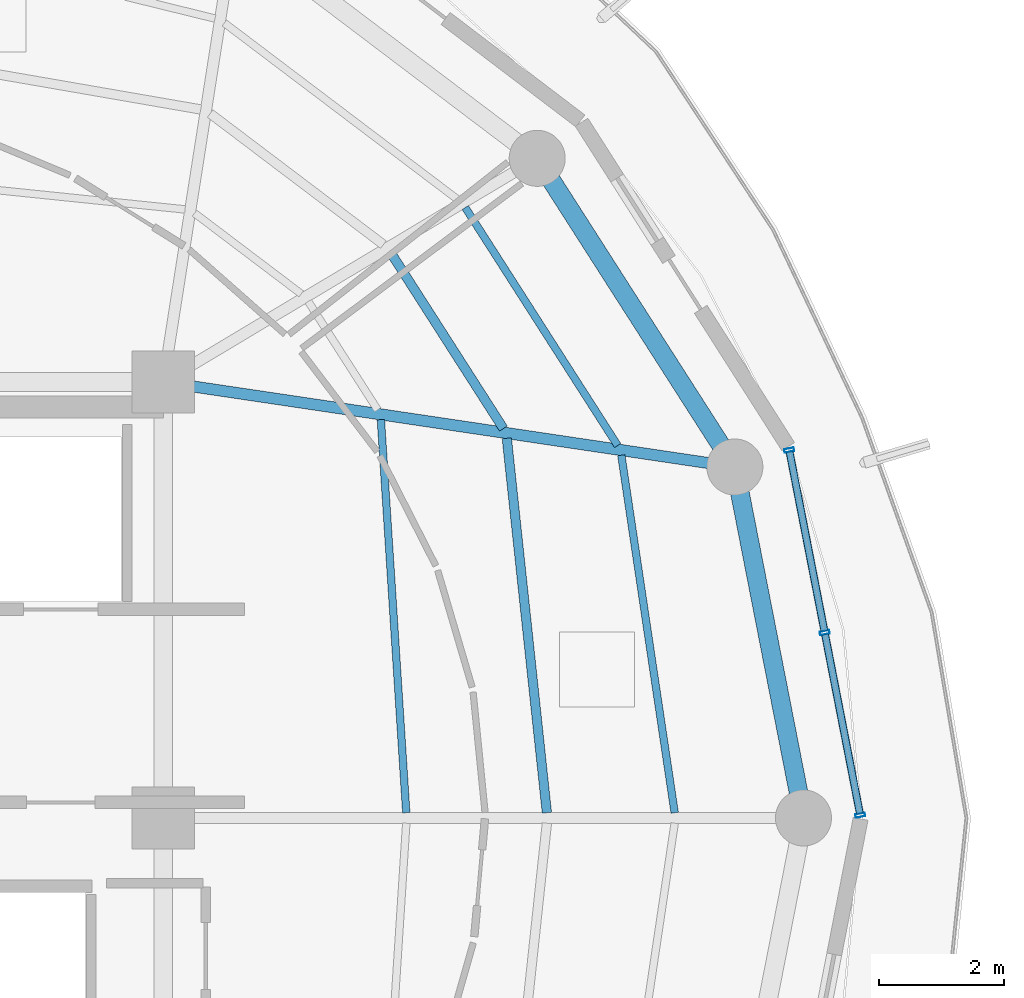
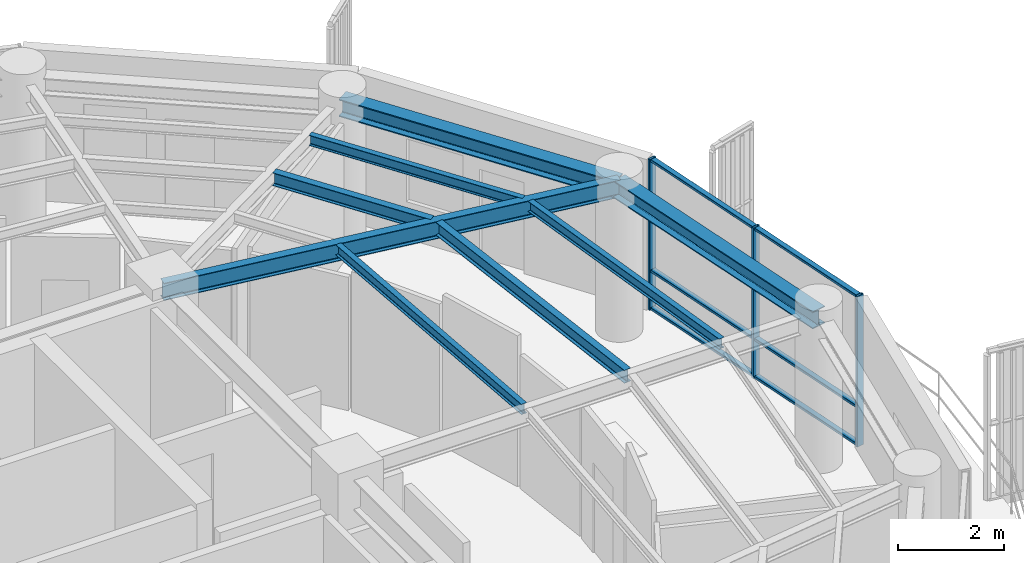
# One storey, part 11 of 23: 9 members, 8 beams, 1 element without a shape of its own.
"""IFC4 building model written with IfcOpenShell, lengths in metres."""

import ifcopenshell
import ifcopenshell.guid

model = None  # the IFC model being written
_history = None  # IfcOwnerHistory: only IFC2X3 demands one
_inside = {}  # id of a spatial element -> (the spatial element, [elements in it])
_under = {}  # id of a project, library or spatial element -> (it, [spatial elements below it])
_declared = {}  # id of a project -> (the project, [libraries it declares])
_typed = {}  # id of a type object -> (the type object, [elements of that type])
_made_of = {}  # id of a material, layer set ... -> (it, [elements and type objects made of it])


def new_model(schema):
    """Start an empty IFC model of exactly this schema.

    Asked for "IFC4X3", IfcOpenShell would pick the latest addendum, in which some entities
    have other attributes; the version numbers below select the first issue.
    IFC2X3 requires an IfcOwnerHistory on every rooted entity: one is made here for all.
    """
    global model, _history
    if schema == "IFC4X3":
        model = ifcopenshell.file(schema_version=(4, 3, 0, 0))
    else:
        model = ifcopenshell.file(schema=schema)
    _inside.clear()
    _under.clear()
    _declared.clear()
    _typed.clear()
    _made_of.clear()
    _history = None
    if model.schema == "IFC2X3":
        org = make("IfcOrganization", Name="unknown")
        user = make(
            "IfcPersonAndOrganization",
            ThePerson=make("IfcPerson", FamilyName="unknown"),
            TheOrganization=org,
        )
        app = make(
            "IfcApplication",
            ApplicationDeveloper=org,
            Version="unknown",
            ApplicationFullName="unknown",
            ApplicationIdentifier="unknown",
        )
        _history = make(
            "IfcOwnerHistory",
            OwningUser=user,
            OwningApplication=app,
            ChangeAction="ADDED",
            CreationDate=0,
        )
    return model


def make(cls, **values):
    """One entity of the class cls with the attributes given. An attribute that is None is left unset."""
    return model.create_entity(
        cls, **{name: value for name, value in values.items() if value is not None}
    )


def rooted(cls, **values):
    """An entity with a GlobalId (a new one), such as an element, a storey or a relation."""
    return make(cls, GlobalId=ifcopenshell.guid.new(), OwnerHistory=_history, **values)


def si_unit(unit_type, name, prefix=None):
    """IfcSIUnit, for example si_unit("LENGTHUNIT", "METRE", prefix="MILLI")."""
    return make("IfcSIUnit", UnitType=unit_type, Prefix=prefix, Name=name)


def assignment(units):
    """IfcUnitAssignment: the units of a project."""
    return None if units is None else make("IfcUnitAssignment", Units=units)


def point(xyz):
    """IfcCartesianPoint."""
    return None if xyz is None else make("IfcCartesianPoint", Coordinates=xyz)


def direction(xyz):
    """IfcDirection."""
    return None if xyz is None else make("IfcDirection", DirectionRatios=xyz)


def frame(location, z_axis=None, x_axis=None):
    """IfcAxis2Placement3D, a coordinate frame: its origin and axes. An axis left out is left unset."""
    return make(
        "IfcAxis2Placement3D",
        Location=point(location),
        Axis=direction(z_axis),
        RefDirection=direction(x_axis),
    )


def frame_2d(location, x_axis=None):
    """IfcAxis2Placement2D, a coordinate frame in the plane: its origin and x axis."""
    return make(
        "IfcAxis2Placement2D", Location=point(location), RefDirection=direction(x_axis)
    )


def origin():
    """The frame at (0, 0, 0) with its axes left unset."""
    return frame((0.0, 0.0, 0.0))


def origin_2d():
    """The frame at (0, 0) in the plane with its x axis left unset."""
    return frame_2d((0.0, 0.0))


def place(relative_to, where):
    """IfcLocalPlacement: puts the frame where relative to a parent placement (None: the world)."""
    return make(
        "IfcLocalPlacement", PlacementRelTo=relative_to, RelativePlacement=where
    )


def context(
    kind, dimensions, precision=None, world=None, true_north=None, identifier=None
):
    """IfcGeometricRepresentationContext, for example the 3D "Model" context."""
    return make(
        "IfcGeometricRepresentationContext",
        ContextIdentifier=identifier,
        ContextType=kind,
        CoordinateSpaceDimension=dimensions,
        Precision=precision,
        WorldCoordinateSystem=world,
        TrueNorth=true_north,
    )


def subcontext(parent, identifier, kind, view, scale=None):
    """IfcGeometricRepresentationSubContext, for example "Body" below "Model"."""
    return make(
        "IfcGeometricRepresentationSubContext",
        ContextIdentifier=identifier,
        ContextType=kind,
        ParentContext=parent,
        TargetScale=scale,
        TargetView=view,
    )


def project(units=None, contexts=None):
    """IfcProject with its units and contexts."""
    return rooted(
        "IfcProject",
        Name="project",
        RepresentationContexts=contexts,
        UnitsInContext=assignment(units),
    )


def spatial(cls, under=None, at=None, **own):
    """A site, building, storey or space (cls), placed at a placement, below another one or the project."""
    s = rooted(cls, ObjectPlacement=at, **own)
    if under is not None:
        _under.setdefault(under.id(), (under, []))[1].append(s)
    return s


def profile(cls, at=None, kind="AREA", **sizes):
    """A parametric profile (cls). Its sizes go by their IFC names, for example OverallWidth=200.0."""
    return make(cls, ProfileType=kind, Position=at, **sizes)


def hollow_rectangle(**sizes):
    """IfcRectangleHollowProfileDef."""
    return profile("IfcRectangleHollowProfileDef", **sizes)


def i_section(**sizes):
    """IfcIShapeProfileDef."""
    return profile("IfcIShapeProfileDef", **sizes)


def extrude(swept, where, along, depth):
    """IfcExtrudedAreaSolid: the profile swept, set in the frame where, extruded along a direction by depth."""
    return make(
        "IfcExtrudedAreaSolid",
        SweptArea=swept,
        Position=where,
        ExtrudedDirection=direction(along),
        Depth=depth,
    )


def shape(context_of_items, identifier, shape_type, items):
    """IfcShapeRepresentation: the items that make up one representation, for example the "Body"."""
    return make(
        "IfcShapeRepresentation",
        ContextOfItems=context_of_items,
        RepresentationIdentifier=identifier,
        RepresentationType=shape_type,
        Items=items,
    )


def material(Name=None, Category=None):
    """IfcMaterial."""
    return make("IfcMaterial", Name=Name, Category=Category)


def layer(
    of_material, thickness, ventilated=None, Name=None, Category=None, Priority=None
):
    """IfcMaterialLayer: one layer of a wall or slab, of a material (None: an air gap)."""
    return make(
        "IfcMaterialLayer",
        Material=of_material,
        LayerThickness=thickness,
        IsVentilated=ventilated,
        Name=Name,
        Category=Category,
        Priority=Priority,
    )


def layer_set(layers, Name=None):
    """IfcMaterialLayerSet."""
    return make("IfcMaterialLayerSet", MaterialLayers=layers, LayerSetName=Name)


def material_profile(
    of_material, cross_section, Name=None, Category=None, Priority=None
):
    """IfcMaterialProfile: a cross section and its material."""
    return make(
        "IfcMaterialProfile",
        Name=Name,
        Material=of_material,
        Profile=cross_section,
        Priority=Priority,
        Category=Category,
    )


def profile_set(profiles, Name=None, composite=None):
    """IfcMaterialProfileSet."""
    return make(
        "IfcMaterialProfileSet",
        Name=Name,
        MaterialProfiles=profiles,
        CompositeProfile=composite,
    )


def made_of(thing, what):
    """Note that an element or type object is made of a material, layer set ...; save() writes the relation."""
    if what is not None:
        _made_of.setdefault(what.id(), (what, []))[1].append(thing)
    return thing


def type_object(cls, material=None, **own):
    """A type object (cls), such as IfcWallType, which elements share."""
    return made_of(rooted(cls, **own), material)


def element(
    cls,
    number,
    at=None,
    inside=None,
    cuts=None,
    type_object=None,
    material=None,
    context=None,
    identifier="Body",
    shape_type=None,
    held_by="IfcProductDefinitionShape",
    body=None,
    shapes=None,
    **own,
):
    """One element of the class cls, such as IfcWall. Its Tag is "e" and its number.

    at: its placement. inside: the storey or other place that contains it. cuts: it is an
    opening in that element (IfcRelVoidsElement). A single representation is given by context,
    identifier, shape_type and body (its items); several are given by shapes. held_by: the class
    of the entity that holds the representations. save() writes the other relations.
    """
    e = rooted(cls, Tag="e%d" % number, ObjectPlacement=at, **own)
    if body is not None:
        shapes = [shape(context, identifier, shape_type, body)]
    if shapes is not None:
        e.Representation = make(held_by, Representations=shapes)
    if inside is not None:
        _inside.setdefault(inside.id(), (inside, []))[1].append(e)
    if cuts is not None:
        rooted(
            "IfcRelVoidsElement", RelatingBuildingElement=cuts, RelatedOpeningElement=e
        )
    if type_object is not None:
        _typed.setdefault(type_object.id(), (type_object, []))[1].append(e)
    return made_of(e, material)


def aggregate(whole, parts):
    """IfcRelAggregates: a whole, such as a stair, and the parts it consists of."""
    return rooted("IfcRelAggregates", RelatingObject=whole, RelatedObjects=parts)


def save(model, path):
    """Write the relations noted so far, then the file.

    IfcRelAggregates (storeys below a building ...), IfcRelContainedInSpatialStructure (elements
    in a storey), IfcRelDefinesByType, IfcRelAssociatesMaterial and IfcRelDeclares: one each for
    every whole, place, type object, material and project.
    """
    for whole, parts in _under.values():
        aggregate(whole, parts)
    for where, things in _inside.values():
        rooted(
            "IfcRelContainedInSpatialStructure",
            RelatedElements=things,
            RelatingStructure=where,
        )
    for kind, things in _typed.values():
        rooted("IfcRelDefinesByType", RelatedObjects=things, RelatingType=kind)
    for what, things in _made_of.values():
        rooted("IfcRelAssociatesMaterial", RelatedObjects=things, RelatingMaterial=what)
    for by, libraries in _declared.values():
        rooted("IfcRelDeclares", RelatingContext=by, RelatedDefinitions=libraries)
    model.write(path)


model = new_model("IFC4")

# Units and contexts
model_context = context("Model", 3, precision=1e-05, world=origin(), true_north=direction((0.0, 1.0)))
body_context = subcontext(model_context, "Body", "Model", "MODEL_VIEW")
ifc_project = project(units=[si_unit("LENGTHUNIT", "METRE"), si_unit("AREAUNIT", "SQUARE_METRE"), si_unit("VOLUMEUNIT", "CUBIC_METRE"), si_unit("PLANEANGLEUNIT", "RADIAN"), si_unit("MASSUNIT", "GRAM", prefix="KILO")], contexts=[model_context])

# Site, building, storey
site_placement = place(None, origin())
site = spatial("IfcSite", under=ifc_project, at=site_placement, CompositionType="ELEMENT")
building_placement = place(site_placement, origin())
building = spatial("IfcBuilding", under=site, at=building_placement, Name="Kelanora Arch Commons", CompositionType="ELEMENT")
storey_placement = place(building_placement, frame((0.0, 0.0, 286.199951171875)))
storey = spatial("IfcBuildingStorey", under=building, at=storey_placement, Name="L73", CompositionType="ELEMENT", Elevation=286.199951171875)

# Beams
ifc_material_1 = material(Name="Steel S355", Category="steel")
ifc_material_profile_1 = material_profile(ifc_material_1, i_section(OverallWidth=0.14990234375, OverallDepth=0.300048828125, WebThickness=0.007080078125, FlangeThickness=0.0107421875, FilletRadius=0.014892578125, at=origin_2d()), Name="IPE300")
ifc_profile_set_1 = profile_set([ifc_material_profile_1], Name="Steel S355")
beam_type_1 = type_object("IfcBeamType", Name="BM-JST-01", PredefinedType="JOIST", material=ifc_profile_set_1)
beam_1_placement = place(storey_placement, frame((88.158935546875, 58.08447265625, 3.340087890625), z_axis=(-0.106380594087, 0.994325484538, 0.0), x_axis=(-0.994325484538, -0.106380594087, 0.0)))
element("IfcBeam", 1, at=beam_1_placement, inside=storey, type_object=beam_type_1, Name="Secondary Chord Joist BJB-00 L73", PredefinedType="JOIST", context=body_context, shape_type="SweptSolid", body=[
    extrude(i_section(OverallWidth=0.14990234375, OverallDepth=0.300048828125, WebThickness=0.007080078125, FlangeThickness=0.0107421875, FilletRadius=0.014892578125, at=origin_2d()), origin(), (0.0, 0.0, 1.0), 6.04736328125),
])
beam_2_placement = place(storey_placement, frame((87.460693359375, 64.25341796875, 3.340087890625), z_axis=(-0.539321586177, 0.842099891155, 0.0), x_axis=(-0.842099891155, -0.539321586177, 0.0)))
element("IfcBeam", 2, at=beam_2_placement, inside=storey, type_object=beam_type_1, Name="Secondary Chord Joist BJB-02 L73", PredefinedType="JOIST", context=body_context, shape_type="SweptSolid", body=[
    extrude(i_section(OverallWidth=0.14990234375, OverallDepth=0.300048828125, WebThickness=0.007080078125, FlangeThickness=0.0107421875, FilletRadius=0.014892578125, at=origin_2d()), origin(), (0.0, 0.0, 1.0), 3.361572265625),
])
ifc_material_profile_2 = material_profile(ifc_material_1, i_section(OverallWidth=0.1201171875, OverallDepth=0.239990234375, WebThickness=0.006103515625, FlangeThickness=0.009765625, FilletRadius=0.014892578125, at=origin_2d()), Name="IPE240")
ifc_profile_set_2 = profile_set([ifc_material_profile_2], Name="Steel S355")
beam_type_2 = type_object("IfcBeamType", Name="BM-JST-02", PredefinedType="JOIST", material=ifc_profile_set_2)
beam_3_placement = place(storey_placement, frame((85.90087890625, 58.084716796875, 3.3701171875), z_axis=(-0.064495107978, 0.99791802321, 0.0), x_axis=(-0.99791802321, -0.064495107978, 0.0)))
element("IfcBeam", 3, at=beam_3_placement, inside=storey, type_object=beam_type_2, Name="Secondary Chord Joist BJA-00 L73", PredefinedType="JOIST", context=body_context, shape_type="SweptSolid", body=[
    extrude(i_section(OverallWidth=0.1201171875, OverallDepth=0.239990234375, WebThickness=0.006103515625, FlangeThickness=0.009765625, FilletRadius=0.014892578125, at=origin_2d()), origin(), (0.0, 0.0, 1.0), 6.325439453125),
])
beam_4_placement = place(storey_placement, frame((90.21142578125, 58.083984375, 3.3701171875), z_axis=(-0.14762470282, 0.989043450571, 0.0), x_axis=(-0.989043450571, -0.14762470282, 0.0)))
element("IfcBeam", 4, at=beam_4_placement, inside=storey, type_object=beam_type_2, Name="Secondary Chord Joist BJC-00 L73", PredefinedType="JOIST", context=body_context, shape_type="SweptSolid", body=[
    extrude(i_section(OverallWidth=0.1201171875, OverallDepth=0.239990234375, WebThickness=0.006103515625, FlangeThickness=0.009765625, FilletRadius=0.014892578125, at=origin_2d()), origin(), (0.0, 0.0, 1.0), 5.804931640625),
])
beam_5_placement = place(storey_placement, frame((89.296142578125, 63.980712890625, 3.3701171875), z_axis=(-0.539288735289, 0.842120929552, 0.0), x_axis=(-0.842120929552, -0.539288735289, 0.0)))
element("IfcBeam", 5, at=beam_5_placement, inside=storey, type_object=beam_type_2, Name="Secondary Chord Joist BJC-02 L73", PredefinedType="JOIST", context=body_context, shape_type="SweptSolid", body=[
    extrude(i_section(OverallWidth=0.1201171875, OverallDepth=0.239990234375, WebThickness=0.006103515625, FlangeThickness=0.009765625, FilletRadius=0.014892578125, at=origin_2d()), origin(), (0.0, 0.0, 1.0), 4.538818359375),
])
ifc_material_profile_3 = material_profile(ifc_material_1, i_section(OverallWidth=0.179931640625, OverallDepth=0.39990234375, WebThickness=0.008544921875, FlangeThickness=0.013427734375, FilletRadius=0.02099609375, at=origin_2d()), Name="IPE400")
ifc_profile_set_3 = profile_set([ifc_material_profile_3], Name="Steel S355")
beam_type_3 = type_object("IfcBeamType", Name="BM-RAD-Z5", PredefinedType="BEAM", material=ifc_profile_set_3)
beam_6_placement = place(storey_placement, frame((82.0, 65.0, 3.2900390625), z_axis=(0.989142485564, -0.146959665395, 0.0), x_axis=(0.146959665395, 0.989142485564, 0.0)))
element("IfcBeam", 6, at=beam_6_placement, inside=storey, type_object=beam_type_3, Name="Radial Floor Girder BR-02 L73", PredefinedType="BEAM", context=body_context, shape_type="SweptSolid", body=[
    extrude(i_section(OverallWidth=0.179931640625, OverallDepth=0.39990234375, WebThickness=0.008544921875, FlangeThickness=0.013427734375, FilletRadius=0.02099609375, at=origin_2d()), origin(), (0.0, 0.0, 1.0), 9.2783203125),
])
ifc_material_profile_4 = material_profile(ifc_material_1, i_section(OverallWidth=0.300048828125, OverallDepth=0.39990234375, WebThickness=0.013427734375, FlangeThickness=0.02392578125, FilletRadius=0.027099609375, at=origin_2d()), Name="HEB400")
ifc_profile_set_4 = profile_set([ifc_material_profile_4], Name="Steel S355")
beam_type_4 = type_object("IfcBeamType", Name="BM-SPN-Z4", PredefinedType="SPANDREL", material=ifc_profile_set_4)
beam_7_placement = place(storey_placement, frame((92.280029296875, 58.0, 3.2900390625), z_axis=(-0.191969774604, 0.981400838413, 0.0), x_axis=(-0.981400838413, -0.191969774604, 0.0)))
element("IfcBeam", 7, at=beam_7_placement, inside=storey, type_object=beam_type_4, Name="Perimeter Spandrel Beam BS-00 L73", PredefinedType="SPANDREL", context=body_context, shape_type="SweptSolid", body=[
    extrude(i_section(OverallWidth=0.300048828125, OverallDepth=0.39990234375, WebThickness=0.013427734375, FlangeThickness=0.02392578125, FilletRadius=0.027099609375, at=origin_2d()), origin(), (0.0, 0.0, 1.0), 5.743408203125),
])
beam_8_placement = place(storey_placement, frame((91.177490234375, 63.636474609375, 3.2900390625), z_axis=(-0.539280851353, 0.842125978322, 0.0), x_axis=(-0.842125978322, -0.539280851353, 0.0)))
element("IfcBeam", 8, at=beam_8_placement, inside=storey, type_object=beam_type_4, Name="Perimeter Spandrel Beam BS-02 L73", PredefinedType="SPANDREL", context=body_context, shape_type="SweptSolid", body=[
    extrude(i_section(OverallWidth=0.300048828125, OverallDepth=0.39990234375, WebThickness=0.013427734375, FlangeThickness=0.02392578125, FilletRadius=0.027099609375, at=origin_2d()), origin(), (0.0, 0.0, 1.0), 5.8857421875),
])

# Curtain wall, members
ifc_material_2 = material(Name="Terracotta ceramic-fritted low-E glass and aluminium", Category="masonry")
ifc_layer = layer(ifc_material_2, 0.18994140625)
ifc_layer_set = layer_set([ifc_layer], Name="Terracotta ceramic-fritted low-E glass and aluminium")
curtain_wall_type = type_object("IfcCurtainWallType", Name="CW-SYS-03", PredefinedType="NOTDEFINED", material=ifc_layer_set)
curtain_wall_placement = place(storey_placement, origin())
curtain_wall = element("IfcCurtainWall", 9, at=curtain_wall_placement, inside=storey, type_object=curtain_wall_type, Name="Unitised Curtain Wall L73-B00", PredefinedType="NOTDEFINED")
ifc_material_3 = material(Name="Powder-coated aluminium terracotta", Category="masonry")
ifc_material_profile_5 = material_profile(ifc_material_3, hollow_rectangle(XDim=0.159912109375, YDim=0.06005859375, WallThickness=0.0048828125, InnerFilletRadius=0.0048828125, OuterFilletRadius=0.010009765625, at=origin_2d()), Name="CWM160x60")
ifc_profile_set_5 = profile_set([ifc_material_profile_5], Name="Powder-coated aluminium terracotta")
member_type_1 = type_object("IfcMemberType", Name="CWM-STD", PredefinedType="MULLION", material=ifc_profile_set_5)
member_1_placement = place(storey_placement, frame((93.19140625, 58.044189453125, 0.0), z_axis=(0.0, 0.0, 1.0), x_axis=(-0.981595542501, -0.190971701941, 0.0)))
member_1 = element("IfcMember", 10, at=member_1_placement, type_object=member_type_1, Name="CW-03 mullion 1", PredefinedType="MULLION", context=body_context, shape_type="SweptSolid", body=[
    extrude(hollow_rectangle(XDim=0.159912109375, YDim=0.06005859375, WallThickness=0.0048828125, InnerFilletRadius=0.0048828125, OuterFilletRadius=0.010009765625, at=origin_2d()), origin(), (0.0, 0.0, 1.0), 3.47509765625),
])
member_2_placement = place(storey_placement, frame((92.62109375, 60.9755859375, 0.0), z_axis=(0.0, 0.0, 1.0), x_axis=(-0.981595542501, -0.190971701941, 0.0)))
member_2 = element("IfcMember", 11, at=member_2_placement, type_object=member_type_1, Name="CW-03 mullion 2", PredefinedType="MULLION", context=body_context, shape_type="SweptSolid", body=[
    extrude(hollow_rectangle(XDim=0.159912109375, YDim=0.06005859375, WallThickness=0.0048828125, InnerFilletRadius=0.0048828125, OuterFilletRadius=0.010009765625, at=origin_2d()), origin(), (0.0, 0.0, 1.0), 3.47509765625),
])
member_3_placement = place(storey_placement, frame((92.05078125, 63.906982421875, 0.0), z_axis=(0.0, 0.0, 1.0), x_axis=(-0.981595542501, -0.190971701941, 0.0)))
member_3 = element("IfcMember", 12, at=member_3_placement, type_object=member_type_1, Name="CW-03 mullion 3", PredefinedType="MULLION", context=body_context, shape_type="SweptSolid", body=[
    extrude(hollow_rectangle(XDim=0.159912109375, YDim=0.06005859375, WallThickness=0.0048828125, InnerFilletRadius=0.0048828125, OuterFilletRadius=0.010009765625, at=origin_2d()), origin(), (0.0, 0.0, 1.0), 3.47509765625),
])
ifc_material_profile_6 = material_profile(ifc_material_3, hollow_rectangle(XDim=0.1201171875, YDim=0.06005859375, WallThickness=0.0048828125, InnerFilletRadius=0.0048828125, OuterFilletRadius=0.010009765625, at=origin_2d()), Name="CWT120x60")
ifc_profile_set_6 = profile_set([ifc_material_profile_6], Name="Powder-coated aluminium terracotta")
member_type_2 = type_object("IfcMemberType", Name="CWT-STD", PredefinedType="USERDEFINED", material=ifc_profile_set_6)
member_4_placement = place(storey_placement, frame((93.185546875, 58.073486328125, 0.030029296875), z_axis=(-0.190963443354, 0.981597149192, 0.0), x_axis=(-0.981597149192, -0.190963443354, 0.0)))
member_4 = element("IfcMember", 13, at=member_4_placement, type_object=member_type_2, Name="CW-03 transom 1.1", ObjectType="TRANSOM", PredefinedType="USERDEFINED", context=body_context, shape_type="SweptSolid", body=[
    extrude(hollow_rectangle(XDim=0.1201171875, YDim=0.06005859375, WallThickness=0.0048828125, InnerFilletRadius=0.0048828125, OuterFilletRadius=0.010009765625, at=origin_2d()), origin(), (0.0, 0.0, 1.0), 2.926513671875),
])
member_5_placement = place(storey_placement, frame((93.185546875, 58.073486328125, 0.900146484375), z_axis=(-0.190963443354, 0.981597149192, 0.0), x_axis=(-0.981597149192, -0.190963443354, 0.0)))
member_5 = element("IfcMember", 14, at=member_5_placement, type_object=member_type_2, Name="CW-03 transom 1.2", ObjectType="TRANSOM", PredefinedType="USERDEFINED", context=body_context, shape_type="SweptSolid", body=[
    extrude(hollow_rectangle(XDim=0.1201171875, YDim=0.06005859375, WallThickness=0.0048828125, InnerFilletRadius=0.0048828125, OuterFilletRadius=0.010009765625, at=origin_2d()), origin(), (0.0, 0.0, 1.0), 2.926513671875),
])
member_6_placement = place(storey_placement, frame((93.185546875, 58.073486328125, 3.445068359375), z_axis=(-0.190963443354, 0.981597149192, 0.0), x_axis=(-0.981597149192, -0.190963443354, 0.0)))
member_6 = element("IfcMember", 15, at=member_6_placement, type_object=member_type_2, Name="CW-03 transom 1.3", ObjectType="TRANSOM", PredefinedType="USERDEFINED", context=body_context, shape_type="SweptSolid", body=[
    extrude(hollow_rectangle(XDim=0.1201171875, YDim=0.06005859375, WallThickness=0.0048828125, InnerFilletRadius=0.0048828125, OuterFilletRadius=0.010009765625, at=origin_2d()), origin(), (0.0, 0.0, 1.0), 2.926513671875),
])
member_7_placement = place(storey_placement, frame((92.615234375, 61.005126953125, 0.030029296875), z_axis=(-0.190963443354, 0.981597149192, 0.0), x_axis=(-0.981597149192, -0.190963443354, 0.0)))
member_7 = element("IfcMember", 16, at=member_7_placement, type_object=member_type_2, Name="CW-03 transom 2.1", ObjectType="TRANSOM", PredefinedType="USERDEFINED", context=body_context, shape_type="SweptSolid", body=[
    extrude(hollow_rectangle(XDim=0.1201171875, YDim=0.06005859375, WallThickness=0.0048828125, InnerFilletRadius=0.0048828125, OuterFilletRadius=0.010009765625, at=origin_2d()), origin(), (0.0, 0.0, 1.0), 2.926513671875),
])
member_8_placement = place(storey_placement, frame((92.615234375, 61.005126953125, 0.900146484375), z_axis=(-0.190963443354, 0.981597149192, 0.0), x_axis=(-0.981597149192, -0.190963443354, 0.0)))
member_8 = element("IfcMember", 17, at=member_8_placement, type_object=member_type_2, Name="CW-03 transom 2.2", ObjectType="TRANSOM", PredefinedType="USERDEFINED", context=body_context, shape_type="SweptSolid", body=[
    extrude(hollow_rectangle(XDim=0.1201171875, YDim=0.06005859375, WallThickness=0.0048828125, InnerFilletRadius=0.0048828125, OuterFilletRadius=0.010009765625, at=origin_2d()), origin(), (0.0, 0.0, 1.0), 2.926513671875),
])
member_9_placement = place(storey_placement, frame((92.615234375, 61.005126953125, 3.445068359375), z_axis=(-0.190963443354, 0.981597149192, 0.0), x_axis=(-0.981597149192, -0.190963443354, 0.0)))
member_9 = element("IfcMember", 18, at=member_9_placement, type_object=member_type_2, Name="CW-03 transom 2.3", ObjectType="TRANSOM", PredefinedType="USERDEFINED", context=body_context, shape_type="SweptSolid", body=[
    extrude(hollow_rectangle(XDim=0.1201171875, YDim=0.06005859375, WallThickness=0.0048828125, InnerFilletRadius=0.0048828125, OuterFilletRadius=0.010009765625, at=origin_2d()), origin(), (0.0, 0.0, 1.0), 2.926513671875),
])
aggregate(curtain_wall, [member_1, member_2, member_3, member_4, member_5, member_6, member_7, member_8, member_9])

save(model, "model.ifc")
